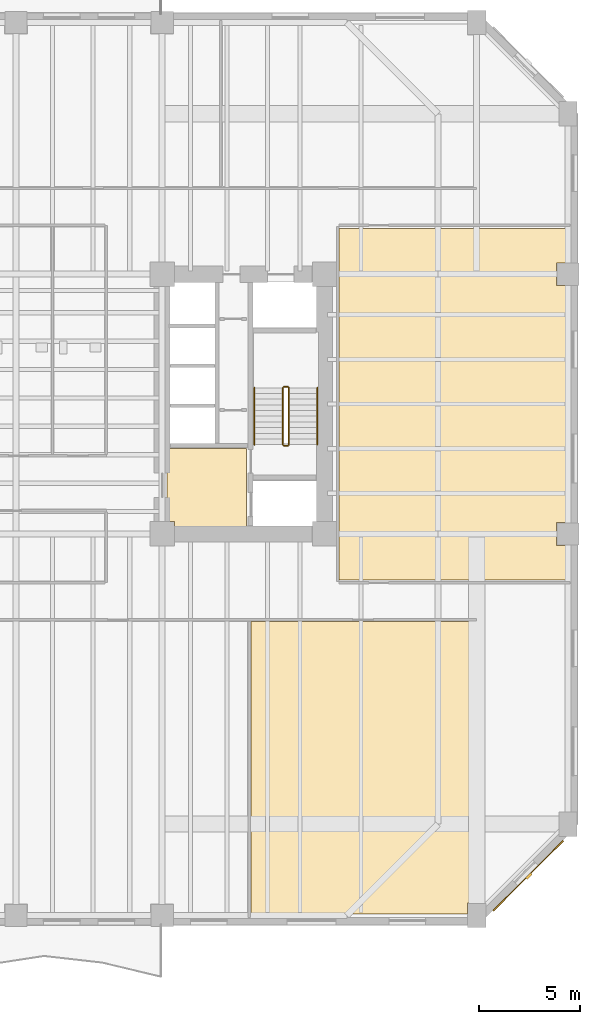
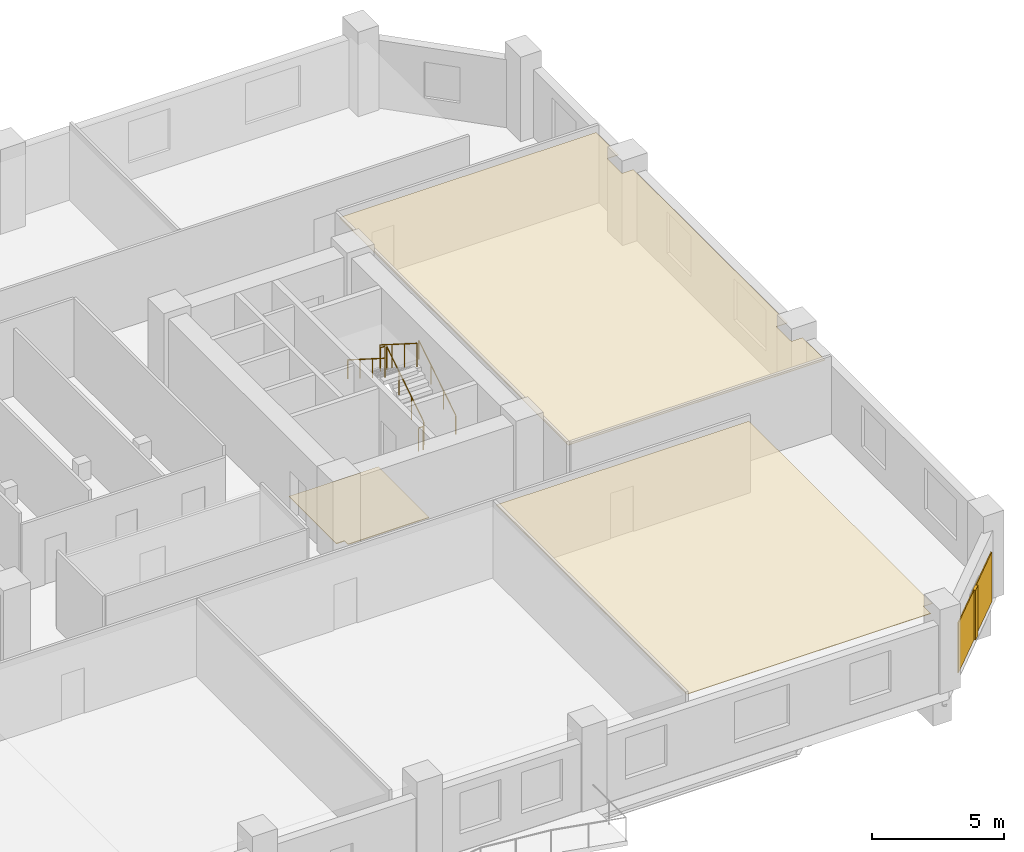
# One storey, part 9 of 11: 6 railings, 4 coverings, 1 shading device.
"""IFC4 building model written with IfcOpenShell, lengths in metres."""

import ifcopenshell
import ifcopenshell.guid

model = None  # the IFC model being written
_history = None  # IfcOwnerHistory: only IFC2X3 demands one
_inside = {}  # id of a spatial element -> (the spatial element, [elements in it])
_under = {}  # id of a project, library or spatial element -> (it, [spatial elements below it])
_declared = {}  # id of a project -> (the project, [libraries it declares])
_typed = {}  # id of a type object -> (the type object, [elements of that type])
_made_of = {}  # id of a material, layer set ... -> (it, [elements and type objects made of it])


def new_model(schema):
    """Start an empty IFC model of exactly this schema.

    Asked for "IFC4X3", IfcOpenShell would pick the latest addendum, in which some entities
    have other attributes; the version numbers below select the first issue.
    IFC2X3 requires an IfcOwnerHistory on every rooted entity: one is made here for all.
    """
    global model, _history
    if schema == "IFC4X3":
        model = ifcopenshell.file(schema_version=(4, 3, 0, 0))
    else:
        model = ifcopenshell.file(schema=schema)
    _inside.clear()
    _under.clear()
    _declared.clear()
    _typed.clear()
    _made_of.clear()
    _history = None
    if model.schema == "IFC2X3":
        org = make("IfcOrganization", Name="unknown")
        user = make(
            "IfcPersonAndOrganization",
            ThePerson=make("IfcPerson", FamilyName="unknown"),
            TheOrganization=org,
        )
        app = make(
            "IfcApplication",
            ApplicationDeveloper=org,
            Version="unknown",
            ApplicationFullName="unknown",
            ApplicationIdentifier="unknown",
        )
        _history = make(
            "IfcOwnerHistory",
            OwningUser=user,
            OwningApplication=app,
            ChangeAction="ADDED",
            CreationDate=0,
        )
    return model


def make(cls, **values):
    """One entity of the class cls with the attributes given. An attribute that is None is left unset."""
    return model.create_entity(
        cls, **{name: value for name, value in values.items() if value is not None}
    )


def rooted(cls, **values):
    """An entity with a GlobalId (a new one), such as an element, a storey or a relation."""
    return make(cls, GlobalId=ifcopenshell.guid.new(), OwnerHistory=_history, **values)


def si_unit(unit_type, name, prefix=None):
    """IfcSIUnit, for example si_unit("LENGTHUNIT", "METRE", prefix="MILLI")."""
    return make("IfcSIUnit", UnitType=unit_type, Prefix=prefix, Name=name)


def assignment(units):
    """IfcUnitAssignment: the units of a project."""
    return None if units is None else make("IfcUnitAssignment", Units=units)


def point(xyz):
    """IfcCartesianPoint."""
    return None if xyz is None else make("IfcCartesianPoint", Coordinates=xyz)


def direction(xyz):
    """IfcDirection."""
    return None if xyz is None else make("IfcDirection", DirectionRatios=xyz)


def frame(location, z_axis=None, x_axis=None):
    """IfcAxis2Placement3D, a coordinate frame: its origin and axes. An axis left out is left unset."""
    return make(
        "IfcAxis2Placement3D",
        Location=point(location),
        Axis=direction(z_axis),
        RefDirection=direction(x_axis),
    )


def frame_2d(location, x_axis=None):
    """IfcAxis2Placement2D, a coordinate frame in the plane: its origin and x axis."""
    return make(
        "IfcAxis2Placement2D", Location=point(location), RefDirection=direction(x_axis)
    )


def origin():
    """The frame at (0, 0, 0) with its axes left unset."""
    return frame((0.0, 0.0, 0.0))


def origin_2d():
    """The frame at (0, 0) in the plane with its x axis left unset."""
    return frame_2d((0.0, 0.0))


def place(relative_to, where):
    """IfcLocalPlacement: puts the frame where relative to a parent placement (None: the world)."""
    return make(
        "IfcLocalPlacement", PlacementRelTo=relative_to, RelativePlacement=where
    )


def context(
    kind, dimensions, precision=None, world=None, true_north=None, identifier=None
):
    """IfcGeometricRepresentationContext, for example the 3D "Model" context."""
    return make(
        "IfcGeometricRepresentationContext",
        ContextIdentifier=identifier,
        ContextType=kind,
        CoordinateSpaceDimension=dimensions,
        Precision=precision,
        WorldCoordinateSystem=world,
        TrueNorth=true_north,
    )


def subcontext(parent, identifier, kind, view, scale=None):
    """IfcGeometricRepresentationSubContext, for example "Body" below "Model"."""
    return make(
        "IfcGeometricRepresentationSubContext",
        ContextIdentifier=identifier,
        ContextType=kind,
        ParentContext=parent,
        TargetScale=scale,
        TargetView=view,
    )


def project(units=None, contexts=None):
    """IfcProject with its units and contexts."""
    return rooted(
        "IfcProject",
        Name="project",
        RepresentationContexts=contexts,
        UnitsInContext=assignment(units),
    )


def spatial(cls, under=None, at=None, **own):
    """A site, building, storey or space (cls), placed at a placement, below another one or the project."""
    s = rooted(cls, ObjectPlacement=at, **own)
    if under is not None:
        _under.setdefault(under.id(), (under, []))[1].append(s)
    return s


def polyline(points):
    """IfcPolyline through the points."""
    return make("IfcPolyline", Points=[point(p) for p in points])


def profile(cls, at=None, kind="AREA", **sizes):
    """A parametric profile (cls). Its sizes go by their IFC names, for example OverallWidth=200.0."""
    return make(cls, ProfileType=kind, Position=at, **sizes)


def rectangle(**sizes):
    """IfcRectangleProfileDef."""
    return profile("IfcRectangleProfileDef", **sizes)


def circle(**sizes):
    """IfcCircleProfileDef."""
    return profile("IfcCircleProfileDef", **sizes)


def outline(outer, holes=None, kind="AREA"):
    """IfcArbitraryClosedProfileDef: a profile drawn as a closed curve; with holes, ...WithVoids."""
    if holes is None:
        return make("IfcArbitraryClosedProfileDef", ProfileType=kind, OuterCurve=outer)
    return make(
        "IfcArbitraryProfileDefWithVoids",
        ProfileType=kind,
        OuterCurve=outer,
        InnerCurves=holes,
    )


def extrude(swept, where, along, depth):
    """IfcExtrudedAreaSolid: the profile swept, set in the frame where, extruded along a direction by depth."""
    return make(
        "IfcExtrudedAreaSolid",
        SweptArea=swept,
        Position=where,
        ExtrudedDirection=direction(along),
        Depth=depth,
    )


def shape(context_of_items, identifier, shape_type, items):
    """IfcShapeRepresentation: the items that make up one representation, for example the "Body"."""
    return make(
        "IfcShapeRepresentation",
        ContextOfItems=context_of_items,
        RepresentationIdentifier=identifier,
        RepresentationType=shape_type,
        Items=items,
    )


def material(Name=None, Category=None):
    """IfcMaterial."""
    return make("IfcMaterial", Name=Name, Category=Category)


def layer(
    of_material, thickness, ventilated=None, Name=None, Category=None, Priority=None
):
    """IfcMaterialLayer: one layer of a wall or slab, of a material (None: an air gap)."""
    return make(
        "IfcMaterialLayer",
        Material=of_material,
        LayerThickness=thickness,
        IsVentilated=ventilated,
        Name=Name,
        Category=Category,
        Priority=Priority,
    )


def layer_set(layers, Name=None):
    """IfcMaterialLayerSet."""
    return make("IfcMaterialLayerSet", MaterialLayers=layers, LayerSetName=Name)


def made_of(thing, what):
    """Note that an element or type object is made of a material, layer set ...; save() writes the relation."""
    if what is not None:
        _made_of.setdefault(what.id(), (what, []))[1].append(thing)
    return thing


def type_object(cls, material=None, **own):
    """A type object (cls), such as IfcWallType, which elements share."""
    return made_of(rooted(cls, **own), material)


def element(
    cls,
    number,
    at=None,
    inside=None,
    cuts=None,
    type_object=None,
    material=None,
    context=None,
    identifier="Body",
    shape_type=None,
    held_by="IfcProductDefinitionShape",
    body=None,
    shapes=None,
    **own,
):
    """One element of the class cls, such as IfcWall. Its Tag is "e" and its number.

    at: its placement. inside: the storey or other place that contains it. cuts: it is an
    opening in that element (IfcRelVoidsElement). A single representation is given by context,
    identifier, shape_type and body (its items); several are given by shapes. held_by: the class
    of the entity that holds the representations. save() writes the other relations.
    """
    e = rooted(cls, Tag="e%d" % number, ObjectPlacement=at, **own)
    if body is not None:
        shapes = [shape(context, identifier, shape_type, body)]
    if shapes is not None:
        e.Representation = make(held_by, Representations=shapes)
    if inside is not None:
        _inside.setdefault(inside.id(), (inside, []))[1].append(e)
    if cuts is not None:
        rooted(
            "IfcRelVoidsElement", RelatingBuildingElement=cuts, RelatedOpeningElement=e
        )
    if type_object is not None:
        _typed.setdefault(type_object.id(), (type_object, []))[1].append(e)
    return made_of(e, material)


def aggregate(whole, parts):
    """IfcRelAggregates: a whole, such as a stair, and the parts it consists of."""
    return rooted("IfcRelAggregates", RelatingObject=whole, RelatedObjects=parts)


def save(model, path):
    """Write the relations noted so far, then the file.

    IfcRelAggregates (storeys below a building ...), IfcRelContainedInSpatialStructure (elements
    in a storey), IfcRelDefinesByType, IfcRelAssociatesMaterial and IfcRelDeclares: one each for
    every whole, place, type object, material and project.
    """
    for whole, parts in _under.values():
        aggregate(whole, parts)
    for where, things in _inside.values():
        rooted(
            "IfcRelContainedInSpatialStructure",
            RelatedElements=things,
            RelatingStructure=where,
        )
    for kind, things in _typed.values():
        rooted("IfcRelDefinesByType", RelatedObjects=things, RelatingType=kind)
    for what, things in _made_of.values():
        rooted("IfcRelAssociatesMaterial", RelatedObjects=things, RelatingMaterial=what)
    for by, libraries in _declared.values():
        rooted("IfcRelDeclares", RelatingContext=by, RelatedDefinitions=libraries)
    model.write(path)


model = new_model("IFC4")

# Units and contexts
model_context = context("Model", 3, precision=1e-05, world=origin(), true_north=direction((0.0, 1.0)))
body_context = subcontext(model_context, "Body", "Model", "MODEL_VIEW")
ifc_project = project(units=[si_unit("LENGTHUNIT", "METRE"), si_unit("AREAUNIT", "SQUARE_METRE"), si_unit("VOLUMEUNIT", "CUBIC_METRE"), si_unit("PLANEANGLEUNIT", "RADIAN"), si_unit("MASSUNIT", "GRAM", prefix="KILO")], contexts=[model_context])

# Site, building, storey
site_placement = place(None, origin())
site = spatial("IfcSite", under=ifc_project, at=site_placement, CompositionType="ELEMENT")
building_placement = place(site_placement, origin())
building = spatial("IfcBuilding", under=site, at=building_placement, Name="Kranthara Brick Stack", CompositionType="ELEMENT")
storey_placement = place(building_placement, frame((0.0, 0.0, 47.699951171875)))
storey = spatial("IfcBuildingStorey", under=building, at=storey_placement, Name="L11", CompositionType="ELEMENT", Elevation=47.699951171875)

# Coverings
ifc_material_1 = material(Name="Perforated mineral-fibre acoustic ceiling tile", Category="other")
ifc_layer_1 = layer(ifc_material_1, 0.02490234375)
ifc_layer_set_1 = layer_set([ifc_layer_1], Name="Perforated mineral-fibre acoustic ceiling tile")
covering_type_1 = type_object("IfcCoveringType", Name="COV-CEIL-ACOUSTIC", PredefinedType="CEILING", material=ifc_layer_set_1)
covering_1_placement = place(storey_placement, frame((0.0, 0.0, 3.330078125)))
element("IfcCovering", 1, at=covering_1_placement, inside=storey, type_object=covering_type_1, Name="L11 L11 Staff Pantry 3 Acoustic Ceiling", PredefinedType="CEILING", context=body_context, shape_type="SweptSolid", body=[
    extrude(outline(polyline([(39.580078125, 2.070068359375), (39.580078125, 16.47998046875), (50.6201171875, 16.47998046875), (50.6201171875, 2.610107421875), (50.239990234375, 2.610107421875), (50.239990234375, 2.070068359375), (39.580078125, 2.070068359375)])), origin(), (0.0, 0.0, 1.0), 0.02490234375),
])
covering_2_placement = place(storey_placement, frame((0.0, 0.0, 3.330078125)))
element("IfcCovering", 2, at=covering_2_placement, inside=storey, type_object=covering_type_1, Name="L11 L11 East Client Office 1 Acoustic Ceiling", PredefinedType="CEILING", context=body_context, shape_type="SweptSolid", body=[
    extrude(outline(polyline([(43.919921875, 18.5400390625), (43.919921875, 35.860107421875), (55.1298828125, 35.860107421875), (55.1298828125, 34.159912109375), (54.639892578125, 34.159912109375), (54.639892578125, 33.0400390625), (55.1298828125, 33.0400390625), (55.1298828125, 21.360107421875), (54.639892578125, 21.360107421875), (54.639892578125, 20.239990234375), (55.1298828125, 20.239990234375), (55.1298828125, 18.5400390625), (43.919921875, 18.5400390625)])), origin(), (0.0, 0.0, 1.0), 0.02490234375),
])
ifc_material_2 = material(Name="Warm buff kiln-fired brick slip rainscreen", Category="masonry")
ifc_layer_2 = layer(ifc_material_2, 0.044921875)
ifc_layer_set_2 = layer_set([ifc_layer_2], Name="Warm buff kiln-fired brick slip rainscreen")
covering_type_2 = type_object("IfcCoveringType", Name="COV-CLAD-BRICK", PredefinedType="CLADDING", material=ifc_layer_set_2)
covering_3_placement = place(storey_placement, frame((53.243408203125, 3.95654296875, 0.0498046875), z_axis=(0.0, 0.0, 1.0), x_axis=(-0.707106781187, -0.707106781187, 0.0)))
element("IfcCovering", 3, at=covering_3_placement, inside=storey, type_object=covering_type_2, Name="L11 Chamfer Brick Rainscreen Cladding SE", PredefinedType="CLADDING", context=body_context, shape_type="SweptSolid", body=[
    extrude(rectangle(XDim=4.876953125, YDim=0.044921875, at=origin_2d()), origin(), (0.0, 0.0, 1.0), 2.300048828125),
])
ifc_material_3 = material(Name="Honed terrazzo and porcelain floor finish", Category="stone")
ifc_layer_3 = layer(ifc_material_3, 0.030029296875)
ifc_layer_set_3 = layer_set([ifc_layer_3], Name="Honed terrazzo and porcelain floor finish")
covering_type_3 = type_object("IfcCoveringType", Name="COV-FLOR-STONE", PredefinedType="FLOORING", material=ifc_layer_set_3)
covering_4_placement = place(storey_placement, origin())
element("IfcCovering", 4, at=covering_4_placement, inside=storey, type_object=covering_type_3, Name="L11 Lift Lobby Stone Flooring", PredefinedType="FLOORING", context=body_context, shape_type="SweptSolid", body=[
    extrude(outline(polyline([(35.449951171875, 25.0), (39.35009765625, 25.0), (39.35009765625, 21.14990234375), (35.81005859375, 21.14990234375), (35.81005859375, 21.409912109375), (35.449951171875, 21.409912109375), (35.449951171875, 25.0)])), origin(), (0.0, 0.0, 1.0), 0.030029296875),
])

# Railings
ifc_material_4 = material(Name="Painted galvanized steel stair guardrail", Category="steel")
railing_type_1 = type_object("IfcRailingType", Name="RL-STAIR-GUARD-1100", PredefinedType="GUARDRAIL", material=ifc_material_4)
railing_1_placement = place(storey_placement, frame((41.449951171875, 25.199951171875, 0.17724609375)))
element("IfcRailing", 5, at=railing_1_placement, inside=storey, type_object=railing_type_1, Name="L11 ST02 stair guard 1", PredefinedType="GUARDRAIL", context=body_context, shape_type="SweptSolid", body=[
    extrude(circle(Radius=0.02392578125, at=origin_2d()), frame((0.0, 0.0, 1.076171875), z_axis=(0.0, 0.844908973607, 0.534910110503), x_axis=(-1.0, 0.0, 0.0)), (0.0, 0.0, 1.0), 3.31396484375),
    extrude(circle(Radius=0.02099609375, at=origin_2d()), origin(), (0.0, 0.0, 1.0), 1.052001953125),
    extrude(circle(Radius=0.02099609375, at=origin_2d()), frame((0.0, 0.933349609375, 0.5908203125)), (0.0, 0.0, 1.0), 1.052001953125),
    extrude(circle(Radius=0.02099609375, at=origin_2d()), frame((0.0, 1.86669921875, 1.181884765625)), (0.0, 0.0, 1.0), 1.052001953125),
    extrude(circle(Radius=0.02099609375, at=origin_2d()), frame((0.0, 2.800048828125, 1.772705078125)), (0.0, 0.0, 1.0), 1.052001953125),
])
railing_2_placement = place(storey_placement, frame((41.39990234375, 28.050048828125, 1.949951171875)))
element("IfcRailing", 6, at=railing_2_placement, inside=storey, type_object=railing_type_1, Name="L11 ST02 stair guard 2", PredefinedType="GUARDRAIL", context=body_context, shape_type="SweptSolid", body=[
    extrude(circle(Radius=0.02392578125, at=origin_2d()), frame((0.0, 0.0, 1.076171875), z_axis=(-1.0, 0.0, 0.0), x_axis=(0.0, -1.0, 0.0)), (0.0, 0.0, 1.0), 0.199951171875),
    extrude(circle(Radius=0.02099609375, at=origin_2d()), origin(), (0.0, 0.0, 1.0), 1.052001953125),
    extrude(circle(Radius=0.02099609375, at=origin_2d()), frame((-0.199951171875, 0.0, 0.0)), (0.0, 0.0, 1.0), 1.052001953125),
])
railing_3_placement = place(storey_placement, frame((41.14990234375, 28.0, 2.12744140625)))
element("IfcRailing", 7, at=railing_3_placement, inside=storey, type_object=railing_type_1, Name="L11 ST02 stair guard 3", PredefinedType="GUARDRAIL", context=body_context, shape_type="SweptSolid", body=[
    extrude(circle(Radius=0.02392578125, at=origin_2d()), frame((0.0, 0.0, 1.076171875), z_axis=(0.0, -0.844908973607, 0.534910110503), x_axis=(1.0, 0.0, 0.0)), (0.0, 0.0, 1.0), 3.31396484375),
    extrude(circle(Radius=0.02099609375, at=origin_2d()), origin(), (0.0, 0.0, 1.0), 1.052001953125),
    extrude(circle(Radius=0.02099609375, at=origin_2d()), frame((0.0, -0.933349609375, 0.5908203125)), (0.0, 0.0, 1.0), 1.052001953125),
    extrude(circle(Radius=0.02099609375, at=origin_2d()), frame((0.0, -1.86669921875, 1.181884765625)), (0.0, 0.0, 1.0), 1.052001953125),
    extrude(circle(Radius=0.02099609375, at=origin_2d()), frame((0.0, -2.800048828125, 1.772705078125)), (0.0, 0.0, 1.0), 1.052001953125),
])
railing_4_placement = place(storey_placement, frame((41.39990234375, 25.14990234375, 0.0)))
element("IfcRailing", 8, at=railing_4_placement, inside=storey, type_object=railing_type_1, Name="L11 ST02 stair guard 4", PredefinedType="GUARDRAIL", context=body_context, shape_type="SweptSolid", body=[
    extrude(circle(Radius=0.02392578125, at=origin_2d()), frame((0.0, 0.0, 1.076171875), z_axis=(-1.0, 0.0, 0.0), x_axis=(0.0, -1.0, 0.0)), (0.0, 0.0, 1.0), 0.199951171875),
    extrude(circle(Radius=0.02099609375, at=origin_2d()), origin(), (0.0, 0.0, 1.0), 1.052001953125),
    extrude(circle(Radius=0.02099609375, at=origin_2d()), frame((-0.199951171875, 0.0, 0.0)), (0.0, 0.0, 1.0), 1.052001953125),
])
ifc_material_5 = material(Name="Brushed stainless steel tubular handrail", Category="steel")
railing_type_2 = type_object("IfcRailingType", Name="RL-STAIR-HAND-900", PredefinedType="HANDRAIL", material=ifc_material_5)
railing_5_placement = place(storey_placement, frame((42.85009765625, 25.199951171875, 0.17724609375)))
element("IfcRailing", 9, at=railing_5_placement, inside=storey, type_object=railing_type_2, Name="L11 ST02 stair handrail 1", PredefinedType="HANDRAIL", context=body_context, shape_type="SweptSolid", body=[
    extrude(circle(Radius=0.02392578125, at=origin_2d()), frame((0.0, 0.0, 0.8759765625), z_axis=(0.0, 0.844908973607, 0.534910110503), x_axis=(-1.0, 0.0, 0.0)), (0.0, 0.0, 1.0), 3.31396484375),
    extrude(circle(Radius=0.02099609375, at=origin_2d()), origin(), (0.0, 0.0, 1.0), 0.851806640625),
    extrude(circle(Radius=0.02099609375, at=origin_2d()), frame((0.0, 0.933349609375, 0.5908203125)), (0.0, 0.0, 1.0), 0.851806640625),
    extrude(circle(Radius=0.02099609375, at=origin_2d()), frame((0.0, 1.86669921875, 1.181884765625)), (0.0, 0.0, 1.0), 0.851806640625),
    extrude(circle(Radius=0.02099609375, at=origin_2d()), frame((0.0, 2.800048828125, 1.772705078125)), (0.0, 0.0, 1.0), 0.851806640625),
])
railing_6_placement = place(storey_placement, frame((39.75, 28.0, 2.12744140625)))
element("IfcRailing", 10, at=railing_6_placement, inside=storey, type_object=railing_type_2, Name="L11 ST02 stair handrail 2", PredefinedType="HANDRAIL", context=body_context, shape_type="SweptSolid", body=[
    extrude(circle(Radius=0.02392578125, at=origin_2d()), frame((0.0, 0.0, 0.8759765625), z_axis=(0.0, -0.844908973607, 0.534910110503), x_axis=(1.0, 0.0, 0.0)), (0.0, 0.0, 1.0), 3.31396484375),
    extrude(circle(Radius=0.02099609375, at=origin_2d()), origin(), (0.0, 0.0, 1.0), 0.851806640625),
    extrude(circle(Radius=0.02099609375, at=origin_2d()), frame((0.0, -0.933349609375, 0.5908203125)), (0.0, 0.0, 1.0), 0.851806640625),
    extrude(circle(Radius=0.02099609375, at=origin_2d()), frame((0.0, -1.86669921875, 1.181884765625)), (0.0, 0.0, 1.0), 0.851806640625),
    extrude(circle(Radius=0.02099609375, at=origin_2d()), frame((0.0, -2.800048828125, 1.772705078125)), (0.0, 0.0, 1.0), 0.851806640625),
])

# Shading device
ifc_material_6 = material(Name="Kiln-fired terracotta aerodynamic wind fin", Category="masonry")
shading_device_type = type_object("IfcShadingDeviceType", Name="SHD-BAFFLE-CORNER", PredefinedType="SHUTTER", material=ifc_material_6)
shading_device_placement = place(storey_placement, frame((53.2646484375, 3.935302734375, 0.0498046875), z_axis=(0.0, 0.0, 1.0), x_axis=(-0.707106781187, -0.707106781187, 0.0)))
element("IfcShadingDevice", 11, at=shading_device_placement, inside=storey, type_object=shading_device_type, Name="L11 Chamfer Wind-Baffle Fin SE", PredefinedType="SHUTTER", context=body_context, shape_type="SweptSolid", body=[
    extrude(rectangle(XDim=0.35009765625, YDim=0.1201171875, at=origin_2d()), origin(), (0.0, 0.0, 1.0), 2.300048828125),
])

save(model, "model.ifc")
